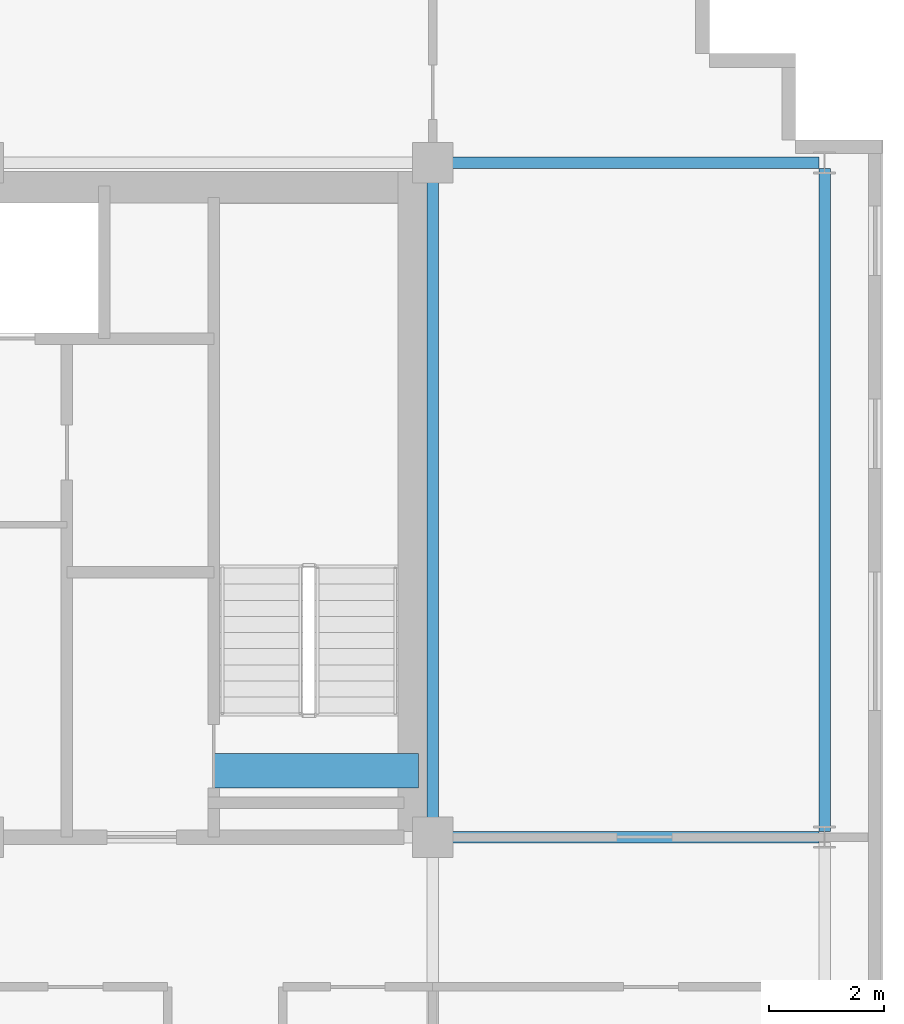
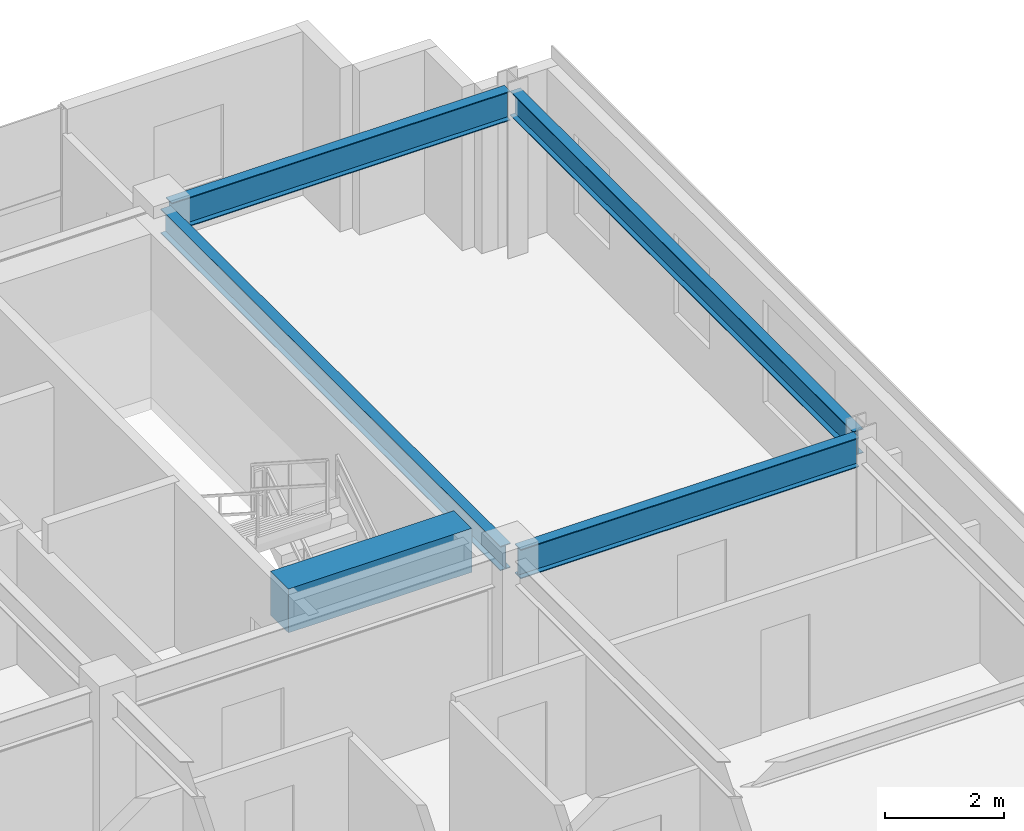
# One storey, part 11 of 20: 5 beams.
"""IFC4 building model written with IfcOpenShell, lengths in metres."""

from ifc_helpers import new_model, si_unit, direction, frame, origin, origin_2d, place, context, subcontext, project, spatial, rectangle, i_section, extrude, source, transform, mapped, material, material_profile, profile_set, type_object, element, save


model = new_model("IFC4")

# Units and contexts
model_context = context("Model", 3, precision=1e-05, world=origin(), true_north=direction((0.0, 1.0)))
body_context = subcontext(model_context, "Body", "Model", "MODEL_VIEW")
ifc_project = project(units=[si_unit("LENGTHUNIT", "METRE"), si_unit("AREAUNIT", "SQUARE_METRE"), si_unit("VOLUMEUNIT", "CUBIC_METRE"), si_unit("PLANEANGLEUNIT", "RADIAN"), si_unit("MASSUNIT", "GRAM", prefix="KILO")], contexts=[model_context])

# Site, building, storey
site_placement = place(None, origin())
site = spatial("IfcSite", under=ifc_project, at=site_placement, CompositionType="ELEMENT")
building_placement = place(site_placement, origin())
building = spatial("IfcBuilding", under=site, at=building_placement, Name="Trelvane Seafront Commons", CompositionType="ELEMENT")
storey_placement = place(building_placement, frame((0.0, 0.0, 150.10009765625)))
storey = spatial("IfcBuildingStorey", under=building, at=storey_placement, Name="L39", CompositionType="ELEMENT", Elevation=150.10009765625)

# Beams
ifc_material_1 = material(Name="Concrete C60/75", Category="concrete")
ifc_material_profile_1 = material_profile(ifc_material_1, rectangle(XDim=0.60009765625, YDim=0.89990234375, at=origin_2d()), Name="RC-600x900")
ifc_profile_set_1 = profile_set([ifc_material_profile_1], Name="Concrete C60/75")
beam_type_1 = type_object("IfcBeamType", Name="STR-LNT-RC600x900", PredefinedType="LINTEL", material=ifc_profile_set_1)
shared_shape_1 = source(origin(), body_context, "Body", "SweptSolid", [
    extrude(rectangle(XDim=0.60009765625, YDim=0.89990234375, at=origin_2d()), origin(), (0.0, 0.0, 1.0), 3.550048828125),
])
beam_1_placement = place(storey_placement, frame((55.0, 34.550048828125, 2.89990234375), z_axis=(1.0, 0.0, 0.0), x_axis=(0.0, 1.0, 0.0)))
element("IfcBeam", 1, at=beam_1_placement, inside=storey, type_object=beam_type_1, Name="L39 Core Coupling Lintel Beam CB-68", PredefinedType="LINTEL", context=body_context, shape_type="MappedRepresentation", body=[
    mapped(shared_shape_1, transform((0.0, 0.0, 0.0), x_axis=(1.0, 0.0, 0.0), y_axis=(0.0, 1.0, 0.0), z_axis=(0.0, 0.0, 1.0), scale=1.0)),
])
ifc_material_2 = material(Name="Steel SM355 (S355)", Category="steel")
ifc_material_profile_2 = material_profile(ifc_material_2, i_section(OverallWidth=0.199951171875, OverallDepth=0.5, WebThickness=0.010009765625, FlangeThickness=0.01611328125, at=origin_2d()), Name="H-500x200x10x16")
ifc_profile_set_2 = profile_set([ifc_material_profile_2], Name="Steel SM355 (S355)")
beam_type_2 = type_object("IfcBeamType", Name="STR-BM-H500", PredefinedType="BEAM", material=ifc_profile_set_2)
shared_shape_2 = source(origin(), body_context, "Body", "SweptSolid", [
    extrude(i_section(OverallWidth=0.199951171875, OverallDepth=0.5, WebThickness=0.010009765625, FlangeThickness=0.01611328125, at=origin_2d()), origin(), (0.0, 0.0, 1.0), 11.39990234375),
])
beam_2_placement = place(storey_placement, frame((58.800048828125, 33.550048828125, 3.099853515625), z_axis=(0.0, 1.0, 0.0), x_axis=(-1.0, 0.0, 0.0)))
element("IfcBeam", 2, at=beam_2_placement, inside=storey, type_object=beam_type_2, Name="L39 Primary Girder G-49", PredefinedType="BEAM", context=body_context, shape_type="MappedRepresentation", body=[
    mapped(shared_shape_2, transform((0.0, 0.0, 0.0), x_axis=(1.0, 0.0, 0.0), y_axis=(0.0, 1.0, 0.0), z_axis=(0.0, 0.0, 1.0), scale=1.0)),
])
ifc_material_profile_3 = material_profile(ifc_material_2, i_section(OverallWidth=0.199951171875, OverallDepth=0.60009765625, WebThickness=0.010986328125, FlangeThickness=0.01708984375, at=origin_2d()), Name="H-600x200x11x17")
ifc_profile_set_3 = profile_set([ifc_material_profile_3], Name="Steel SM355 (S355)")
beam_type_3 = type_object("IfcBeamType", Name="STR-SPD-H600", PredefinedType="SPANDREL", material=ifc_profile_set_3)
shared_shape_3 = source(origin(), body_context, "Body", "SweptSolid", [
    extrude(i_section(OverallWidth=0.199951171875, OverallDepth=0.60009765625, WebThickness=0.010986328125, FlangeThickness=0.01708984375, at=origin_2d()), origin(), (0.0, 0.0, 1.0), 6.554931640625),
])
for number, where, z_axis, x_axis, name in (
    (3, (58.949951171875, 33.39990234375, 3.0498046875), (1.0, 0.0, 0.0), (0.0, 1.0, 0.0), "L39 Primary Girder G-21"),
    (4, (58.949951171875, 45.10009765625, 3.0498046875), (1.0, 0.0, 0.0), (0.0, 1.0, 0.0), "L39 Primary Girder G-28"),
):
    element("IfcBeam", number, at=place(storey_placement, frame(where, z_axis=z_axis, x_axis=x_axis)), inside=storey, type_object=beam_type_3, Name=name, PredefinedType="SPANDREL", context=body_context, shape_type="MappedRepresentation", body=[
        mapped(shared_shape_3, transform((0.0, 0.0, 0.0), x_axis=(1.0, 0.0, 0.0), y_axis=(0.0, 1.0, 0.0), z_axis=(0.0, 0.0, 1.0), scale=1.0)),
    ])
shared_shape_4 = source(origin(), body_context, "Body", "SweptSolid", [
    extrude(i_section(OverallWidth=0.199951171875, OverallDepth=0.5, WebThickness=0.010009765625, FlangeThickness=0.01611328125, at=origin_2d()), origin(), (0.0, 0.0, 1.0), 11.509765625),
])
beam_3_placement = place(storey_placement, frame((65.60009765625, 33.4951171875, 3.099853515625), z_axis=(0.0, 1.0, 0.0), x_axis=(-1.0, 0.0, 0.0)))
element("IfcBeam", 5, at=beam_3_placement, inside=storey, type_object=beam_type_2, Name="L39 Primary Girder G-52", PredefinedType="BEAM", context=body_context, shape_type="MappedRepresentation", body=[
    mapped(shared_shape_4, transform((0.0, 0.0, 0.0), x_axis=(1.0, 0.0, 0.0), y_axis=(0.0, 1.0, 0.0), z_axis=(0.0, 0.0, 1.0), scale=1.0)),
])

save(model, "model.ifc")
